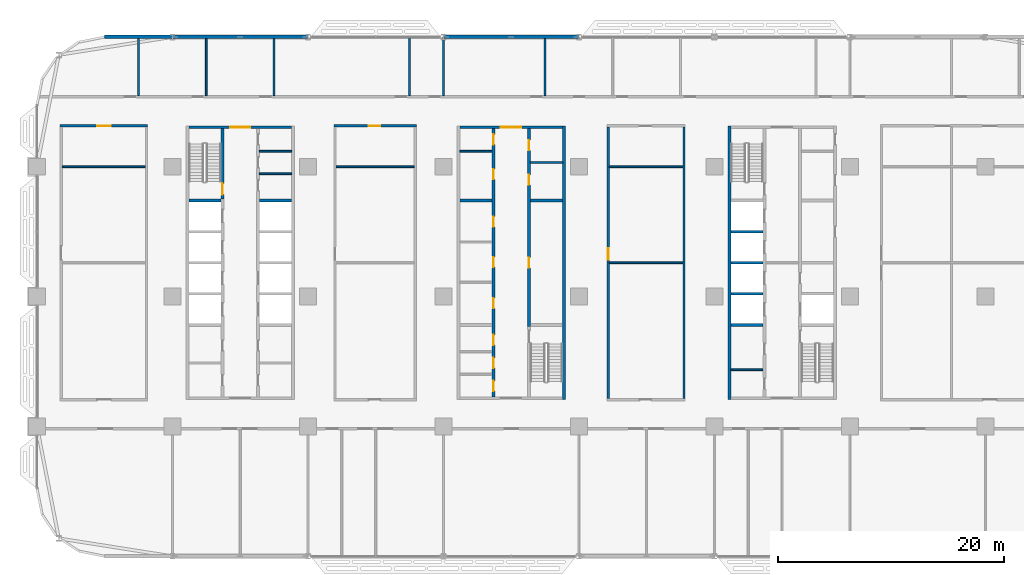
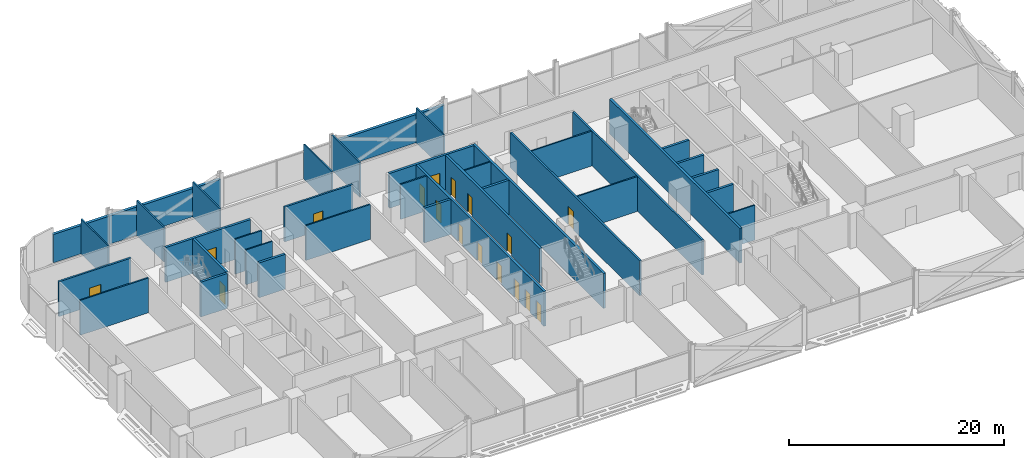
# One storey, part 14 of 30: 37 walls, 17 doors, 17 openings.
"""IFC4 building model written with IfcOpenShell, lengths in metres."""

from ifc_helpers import new_model, si_unit, direction, frame, frame_2d, origin, place, context, subcontext, project, spatial, rectangle, extrude, material, layer, layer_set, type_object, element, fill, save


model = new_model("IFC4")

# Units and contexts
model_context = context("Model", 3, precision=1e-05, world=origin(), true_north=direction((0.0, 1.0)))
body_context = subcontext(model_context, "Body", "Model", "MODEL_VIEW")
ifc_project = project(units=[si_unit("LENGTHUNIT", "METRE"), si_unit("AREAUNIT", "SQUARE_METRE"), si_unit("VOLUMEUNIT", "CUBIC_METRE"), si_unit("PLANEANGLEUNIT", "RADIAN"), si_unit("MASSUNIT", "GRAM", prefix="KILO")], contexts=[model_context])

# Site, building, storey
site_placement = place(None, origin())
site = spatial("IfcSite", under=ifc_project, at=site_placement, CompositionType="ELEMENT")
building_placement = place(site_placement, origin())
building = spatial("IfcBuilding", under=site, at=building_placement, Name="Mahtab Terrace Research Tower", CompositionType="ELEMENT")
storey_placement = place(building_placement, frame((0.0, 0.0, 50.300048828125)))
storey = spatial("IfcBuildingStorey", under=building, at=storey_placement, Name="L11", CompositionType="ELEMENT", Elevation=50.300048828125)

# Walls
ifc_material_1 = material(Name="Gypsum board partition")
ifc_layer_1 = layer(ifc_material_1, 0.14990234375)
ifc_layer_set_1 = layer_set([ifc_layer_1], Name="Core partition 150")
wall_type_1 = type_object("IfcWallType", Name="Core partition 150", PredefinedType="PARTITIONING", material=ifc_layer_set_1)
for number, where, z_axis, x_axis, name in (
    (1, (-22.300048828125, 10.875, 0.0), (0.0, 0.0, 1.0), (1.0, 0.0, 0.0), "Core wall A pEN788"),
    (2, (-22.300048828125, 12.875, 0.0), (0.0, 0.0, 1.0), (1.0, 0.0, 0.0), "Core wall A pEN988"),
    (3, (-4.550048828125, 12.875, 0.0), (0.0, 0.0, 1.0), (1.0, 0.0, 0.0), "Core wall B pWN988"),
    (4, (1.699951171875, 11.875, 0.0), (0.0, 0.0, 1.0), (1.0, 0.0, 0.0), "Core wall B pEN888"),
    (5, (19.449951171875, -6.47509765625, 0.0), (0.0, 0.0, 1.0), (1.0, 0.0, 0.0), "Core wall C pWS-948"),
):
    element("IfcWall", number, at=place(storey_placement, frame(where, z_axis=z_axis, x_axis=x_axis)), inside=storey, type_object=wall_type_1, Name=name, PredefinedType="PARTITIONING", context=body_context, shape_type="SweptSolid", body=[
        extrude(rectangle(XDim=2.85009765625, YDim=0.14990234375, at=frame_2d((1.425048828125, 0.0))), origin(), (0.0, 0.0, 1.0), 3.9599609375),
    ])

# Wall, opening, door
ifc_material_2 = material(Name="Concrete C70/85", Category="concrete")
ifc_layer_2 = layer(ifc_material_2, 0.25)
ifc_layer_set_2 = layer_set([ifc_layer_2], Name="Core wall 250")
wall_type_2 = type_object("IfcWallType", Name="Core wall 250", PredefinedType="SOLIDWALL", material=ifc_layer_set_2)
wall_1_placement = place(storey_placement, frame((-28.550048828125, 15.0, 0.0), z_axis=(0.0, 0.0, 1.0), x_axis=(1.0, 0.0, 0.0)))
wall_1 = element("IfcWall", 6, at=wall_1_placement, inside=storey, type_object=wall_type_2, Name="Core wall A endN", PredefinedType="SOLIDWALL", context=body_context, shape_type="SweptSolid", body=[
    extrude(rectangle(XDim=9.10009765625, YDim=0.25, at=frame_2d((4.550048828125, 0.0))), origin(), (0.0, 0.0, 1.0), 3.9599609375),
])
opening_1_placement = place(wall_1_placement, frame((3.64990234375, 0.0, 0.0)))
opening_1 = element("IfcOpeningElement", 7, at=opening_1_placement, cuts=wall_1, Name="Opening A-N1", PredefinedType="OPENING", context=body_context, shape_type="SweptSolid", body=[
    extrude(rectangle(XDim=1.800048828125, YDim=2.10009765625, at=frame_2d((0.89990234375, 1.050048828125))), frame((0.0, 0.135009765625, 0.0), z_axis=(0.0, -1.0, 0.0), x_axis=(1.0, 0.0, 0.0)), (0.0, 0.0, 1.0), 0.27001953125),
])
ifc_material_3 = material(Name="Steel fire door", Category="steel")
door_type_1 = type_object("IfcDoorType", Name="Lobby double door 1800x2100 1 HR", OperationType="DOUBLE_DOOR_SINGLE_SWING", PredefinedType="DOOR", material=ifc_material_3)
door_1_placement = place(opening_1_placement, origin())
door_1 = element("IfcDoor", 8, at=door_1_placement, inside=storey, type_object=door_type_1, Name="Core entrance door A N", OperationType="DOUBLE_DOOR_SINGLE_SWING", OverallHeight=2.10009765625, OverallWidth=1.800048828125, PredefinedType="DOOR", context=body_context, shape_type="SweptSolid", body=[
    extrude(rectangle(XDim=1.800048828125, YDim=2.10009765625, at=frame_2d((0.89990234375, 1.050048828125))), frame((0.0, 0.02490234375, 0.0), z_axis=(0.0, -1.0, 0.0), x_axis=(1.0, 0.0, 0.0)), (0.0, 0.0, 1.0), 0.050048828125),
])
fill(opening_1, door_1)

wall_2_placement = place(storey_placement, frame((-25.574951171875, 14.875, 0.0), z_axis=(0.0, 0.0, 1.0), x_axis=(0.0, -1.0, 0.0)))
wall_2 = element("IfcWall", 9, at=wall_2_placement, inside=storey, type_object=wall_type_2, Name="Core wall A innerWN", PredefinedType="SOLIDWALL", context=body_context, shape_type="SweptSolid", body=[
    extrude(rectangle(XDim=6.25, YDim=0.25, at=frame_2d((3.125, 0.0))), origin(), (0.0, 0.0, 1.0), 3.9599609375),
])
opening_2_placement = place(wall_2_placement, frame((4.85009765625, 0.0, 0.0)))
opening_2 = element("IfcOpeningElement", 10, at=opening_2_placement, cuts=wall_2, Name="Opening A-ST1", PredefinedType="OPENING", context=body_context, shape_type="SweptSolid", body=[
    extrude(rectangle(XDim=1.0, YDim=2.10009765625, at=frame_2d((0.5, 1.050048828125))), frame((0.0, 0.135009765625, 0.0), z_axis=(0.0, -1.0, 0.0), x_axis=(1.0, 0.0, 0.0)), (0.0, 0.0, 1.0), 0.27001953125),
])
door_type_2 = type_object("IfcDoorType", Name="Stair door 1000x2100 1.5 HR", OperationType="NOTDEFINED", PredefinedType="DOOR", material=ifc_material_3)
door_2_placement = place(opening_2_placement, origin())
door_2 = element("IfcDoor", 11, at=door_2_placement, inside=storey, type_object=door_type_2, Name="Stair door ST1 L11", OperationType="SINGLE_SWING_RIGHT", OverallHeight=2.10009765625, OverallWidth=1.0, PredefinedType="DOOR", context=body_context, shape_type="SweptSolid", body=[
    extrude(rectangle(XDim=1.0, YDim=2.10009765625, at=frame_2d((0.5, 1.050048828125))), frame((0.0, 0.02490234375, 0.0), z_axis=(0.0, -1.0, 0.0), x_axis=(1.0, 0.0, 0.0)), (0.0, 0.0, 1.0), 0.050048828125),
])
fill(opening_2, door_2)

# Walls
for number, where, z_axis, x_axis, name in (
    (12, (-28.550048828125, 8.5, 0.0), (0.0, 0.0, 1.0), (1.0, 0.0, 0.0), "Core wall A divW4"),
    (13, (-22.300048828125, 8.5, 0.0), (0.0, 0.0, 1.0), (1.0, 0.0, 0.0), "Core wall A divE4"),
):
    element("IfcWall", number, at=place(storey_placement, frame(where, z_axis=z_axis, x_axis=x_axis)), inside=storey, type_object=wall_type_2, Name=name, PredefinedType="SOLIDWALL", context=body_context, shape_type="SweptSolid", body=[
        extrude(rectangle(XDim=2.85009765625, YDim=0.25, at=frame_2d((1.425048828125, 0.0))), origin(), (0.0, 0.0, 1.0), 3.9599609375),
    ])
wall_3_placement = place(storey_placement, frame((4.675048828125, -9.125, 0.0), z_axis=(0.0, 0.0, 1.0), x_axis=(0.0, 1.0, 0.0)))
element("IfcWall", 14, at=wall_3_placement, inside=storey, type_object=wall_type_2, Name="Core wall B outerE", PredefinedType="SOLIDWALL", context=body_context, shape_type="SweptSolid", body=[
    extrude(rectangle(XDim=24.25, YDim=0.25, at=frame_2d((12.125, 0.0))), origin(), (0.0, 0.0, 1.0), 3.9599609375),
])

# Wall, opening, door
wall_4_placement = place(storey_placement, frame((-4.550048828125, 15.0, 0.0), z_axis=(0.0, 0.0, 1.0), x_axis=(1.0, 0.0, 0.0)))
wall_4 = element("IfcWall", 15, at=wall_4_placement, inside=storey, type_object=wall_type_2, Name="Core wall B endN", PredefinedType="SOLIDWALL", context=body_context, shape_type="SweptSolid", body=[
    extrude(rectangle(XDim=9.10009765625, YDim=0.25, at=frame_2d((4.550048828125, 0.0))), origin(), (0.0, 0.0, 1.0), 3.9599609375),
])
opening_3_placement = place(wall_4_placement, frame((3.64990234375, 0.0, 0.0)))
opening_3 = element("IfcOpeningElement", 16, at=opening_3_placement, cuts=wall_4, Name="Opening B-N1", PredefinedType="OPENING", context=body_context, shape_type="SweptSolid", body=[
    extrude(rectangle(XDim=1.800048828125, YDim=2.10009765625, at=frame_2d((0.89990234375, 1.050048828125))), frame((0.0, 0.135009765625, 0.0), z_axis=(0.0, -1.0, 0.0), x_axis=(1.0, 0.0, 0.0)), (0.0, 0.0, 1.0), 0.27001953125),
])
door_3_placement = place(opening_3_placement, origin())
door_3 = element("IfcDoor", 17, at=door_3_placement, inside=storey, type_object=door_type_1, Name="Core entrance door B N", OperationType="DOUBLE_DOOR_SINGLE_SWING", OverallHeight=2.10009765625, OverallWidth=1.800048828125, PredefinedType="DOOR", context=body_context, shape_type="SweptSolid", body=[
    extrude(rectangle(XDim=1.800048828125, YDim=2.10009765625, at=frame_2d((0.89990234375, 1.050048828125))), frame((0.0, 0.02490234375, 0.0), z_axis=(0.0, -1.0, 0.0), x_axis=(1.0, 0.0, 0.0)), (0.0, 0.0, 1.0), 0.050048828125),
])
fill(opening_3, door_3)

# Wall, openings, doors
wall_5_placement = place(storey_placement, frame((-1.574951171875, -8.875, 0.0), z_axis=(0.0, 0.0, 1.0), x_axis=(0.0, 1.0, 0.0)))
wall_5 = element("IfcWall", 18, at=wall_5_placement, inside=storey, type_object=wall_type_2, Name="Core wall B innerWSLN", PredefinedType="SOLIDWALL", context=body_context, shape_type="SweptSolid", body=[
    extrude(rectangle(XDim=23.75, YDim=0.25, at=frame_2d((11.875, 0.0))), origin(), (0.0, 0.0, 1.0), 3.9599609375),
])
opening_4_placement = place(wall_5_placement, frame((7.840087890625, 0.0, 0.0)))
opening_4 = element("IfcOpeningElement", 19, at=opening_4_placement, cuts=wall_5, Name="Opening B-R1", PredefinedType="OPENING", context=body_context, shape_type="SweptSolid", body=[
    extrude(rectangle(XDim=0.89990234375, YDim=2.10009765625, at=frame_2d((0.449951171875, 1.050048828125))), frame((0.0, 0.135009765625, 0.0), z_axis=(0.0, -1.0, 0.0), x_axis=(1.0, 0.0, 0.0)), (0.0, 0.0, 1.0), 0.27001953125),
])
opening_5_placement = place(wall_5_placement, frame((11.478759765625, 0.0, 0.0)))
opening_5 = element("IfcOpeningElement", 20, at=opening_5_placement, cuts=wall_5, Name="Opening B-R2", PredefinedType="OPENING", context=body_context, shape_type="SweptSolid", body=[
    extrude(rectangle(XDim=0.89990234375, YDim=2.10009765625, at=frame_2d((0.449951171875, 1.050048828125))), frame((0.0, 0.135009765625, 0.0), z_axis=(0.0, -1.0, 0.0), x_axis=(1.0, 0.0, 0.0)), (0.0, 0.0, 1.0), 0.27001953125),
])
opening_6_placement = place(wall_5_placement, frame((15.063720703125, 0.0, 0.0)))
opening_6 = element("IfcOpeningElement", 21, at=opening_6_placement, cuts=wall_5, Name="Opening B-R3", PredefinedType="OPENING", context=body_context, shape_type="SweptSolid", body=[
    extrude(rectangle(XDim=0.89990234375, YDim=2.10009765625, at=frame_2d((0.449951171875, 1.050048828125))), frame((0.0, 0.135009765625, 0.0), z_axis=(0.0, -1.0, 0.0), x_axis=(1.0, 0.0, 0.0)), (0.0, 0.0, 1.0), 0.27001953125),
])
opening_7_placement = place(wall_5_placement, frame((0.512451171875, 0.0, 0.0)))
opening_7 = element("IfcOpeningElement", 22, at=opening_7_placement, cuts=wall_5, Name="Opening B-R5", PredefinedType="OPENING", context=body_context, shape_type="SweptSolid", body=[
    extrude(rectangle(XDim=0.89990234375, YDim=2.10009765625, at=frame_2d((0.449951171875, 1.050048828125))), frame((0.0, 0.135009765625, 0.0), z_axis=(0.0, -1.0, 0.0), x_axis=(1.0, 0.0, 0.0)), (0.0, 0.0, 1.0), 0.27001953125),
])
opening_8_placement = place(wall_5_placement, frame((2.550048828125, 0.0, 0.0)))
opening_8 = element("IfcOpeningElement", 23, at=opening_8_placement, cuts=wall_5, Name="Opening B-R6", PredefinedType="OPENING", context=body_context, shape_type="SweptSolid", body=[
    extrude(rectangle(XDim=0.89990234375, YDim=2.10009765625, at=frame_2d((0.449951171875, 1.050048828125))), frame((0.0, 0.135009765625, 0.0), z_axis=(0.0, -1.0, 0.0), x_axis=(1.0, 0.0, 0.0)), (0.0, 0.0, 1.0), 0.27001953125),
])
opening_9_placement = place(wall_5_placement, frame((4.58740234375, 0.0, 0.0)))
opening_9 = element("IfcOpeningElement", 24, at=opening_9_placement, cuts=wall_5, Name="Opening B-R7", PredefinedType="OPENING", context=body_context, shape_type="SweptSolid", body=[
    extrude(rectangle(XDim=0.89990234375, YDim=2.10009765625, at=frame_2d((0.449951171875, 1.050048828125))), frame((0.0, 0.135009765625, 0.0), z_axis=(0.0, -1.0, 0.0), x_axis=(1.0, 0.0, 0.0)), (0.0, 0.0, 1.0), 0.27001953125),
])
opening_10_placement = place(wall_5_placement, frame((19.262451171875, 0.0, 0.0)))
opening_10 = element("IfcOpeningElement", 25, at=opening_10_placement, cuts=wall_5, Name="Opening B-R8", PredefinedType="OPENING", context=body_context, shape_type="SweptSolid", body=[
    extrude(rectangle(XDim=0.89990234375, YDim=2.10009765625, at=frame_2d((0.449951171875, 1.050048828125))), frame((0.0, 0.135009765625, 0.0), z_axis=(0.0, -1.0, 0.0), x_axis=(1.0, 0.0, 0.0)), (0.0, 0.0, 1.0), 0.27001953125),
])
opening_11_placement = place(wall_5_placement, frame((22.33740234375, 0.0, 0.0)))
opening_11 = element("IfcOpeningElement", 26, at=opening_11_placement, cuts=wall_5, Name="Opening B-R9", PredefinedType="OPENING", context=body_context, shape_type="SweptSolid", body=[
    extrude(rectangle(XDim=0.89990234375, YDim=2.10009765625, at=frame_2d((0.449951171875, 1.050048828125))), frame((0.0, 0.135009765625, 0.0), z_axis=(0.0, -1.0, 0.0), x_axis=(1.0, 0.0, 0.0)), (0.0, 0.0, 1.0), 0.27001953125),
])
door_type_3 = type_object("IfcDoorType", Name="Room door 900x2100 1 HR", OperationType="NOTDEFINED", PredefinedType="DOOR", material=ifc_material_3)
door_4_placement = place(opening_4_placement, origin())
door_4 = element("IfcDoor", 27, at=door_4_placement, inside=storey, type_object=door_type_3, Name="Battery room door", OperationType="SINGLE_SWING_LEFT", OverallHeight=2.10009765625, OverallWidth=0.89990234375, PredefinedType="DOOR", context=body_context, shape_type="SweptSolid", body=[
    extrude(rectangle(XDim=0.89990234375, YDim=2.10009765625, at=frame_2d((0.449951171875, 1.050048828125))), frame((0.0, 0.02490234375, 0.0), z_axis=(0.0, -1.0, 0.0), x_axis=(1.0, 0.0, 0.0)), (0.0, 0.0, 1.0), 0.050048828125),
])
fill(opening_4, door_4)
door_5_placement = place(opening_5_placement, origin())
door_5 = element("IfcDoor", 28, at=door_5_placement, inside=storey, type_object=door_type_3, Name="Cooling plant room door", OperationType="SINGLE_SWING_RIGHT", OverallHeight=2.10009765625, OverallWidth=0.89990234375, PredefinedType="DOOR", context=body_context, shape_type="SweptSolid", body=[
    extrude(rectangle(XDim=0.89990234375, YDim=2.10009765625, at=frame_2d((0.449951171875, 1.050048828125))), frame((0.0, 0.02490234375, 0.0), z_axis=(0.0, -1.0, 0.0), x_axis=(1.0, 0.0, 0.0)), (0.0, 0.0, 1.0), 0.050048828125),
])
fill(opening_5, door_5)
door_6_placement = place(opening_6_placement, origin())
door_6 = element("IfcDoor", 29, at=door_6_placement, inside=storey, type_object=door_type_3, Name="Spare parts store door", OperationType="SINGLE_SWING_LEFT", OverallHeight=2.10009765625, OverallWidth=0.89990234375, PredefinedType="DOOR", context=body_context, shape_type="SweptSolid", body=[
    extrude(rectangle(XDim=0.89990234375, YDim=2.10009765625, at=frame_2d((0.449951171875, 1.050048828125))), frame((0.0, 0.02490234375, 0.0), z_axis=(0.0, -1.0, 0.0), x_axis=(1.0, 0.0, 0.0)), (0.0, 0.0, 1.0), 0.050048828125),
])
fill(opening_6, door_6)
door_7_placement = place(opening_7_placement, origin())
door_7 = element("IfcDoor", 30, at=door_7_placement, inside=storey, type_object=door_type_3, Name="Comms riser room door", OperationType="SINGLE_SWING_LEFT", OverallHeight=2.10009765625, OverallWidth=0.89990234375, PredefinedType="DOOR", context=body_context, shape_type="SweptSolid", body=[
    extrude(rectangle(XDim=0.89990234375, YDim=2.10009765625, at=frame_2d((0.449951171875, 1.050048828125))), frame((0.0, 0.02490234375, 0.0), z_axis=(0.0, -1.0, 0.0), x_axis=(1.0, 0.0, 0.0)), (0.0, 0.0, 1.0), 0.050048828125),
])
fill(opening_7, door_7)
door_8_placement = place(opening_8_placement, origin())
door_8 = element("IfcDoor", 31, at=door_8_placement, inside=storey, type_object=door_type_3, Name="Pantry door", OperationType="SINGLE_SWING_RIGHT", OverallHeight=2.10009765625, OverallWidth=0.89990234375, PredefinedType="DOOR", context=body_context, shape_type="SweptSolid", body=[
    extrude(rectangle(XDim=0.89990234375, YDim=2.10009765625, at=frame_2d((0.449951171875, 1.050048828125))), frame((0.0, 0.02490234375, 0.0), z_axis=(0.0, -1.0, 0.0), x_axis=(1.0, 0.0, 0.0)), (0.0, 0.0, 1.0), 0.050048828125),
])
fill(opening_8, door_8)
door_9_placement = place(opening_9_placement, origin())
door_9 = element("IfcDoor", 32, at=door_9_placement, inside=storey, type_object=door_type_3, Name="Cleaners store door", OperationType="SINGLE_SWING_LEFT", OverallHeight=2.10009765625, OverallWidth=0.89990234375, PredefinedType="DOOR", context=body_context, shape_type="SweptSolid", body=[
    extrude(rectangle(XDim=0.89990234375, YDim=2.10009765625, at=frame_2d((0.449951171875, 1.050048828125))), frame((0.0, 0.02490234375, 0.0), z_axis=(0.0, -1.0, 0.0), x_axis=(1.0, 0.0, 0.0)), (0.0, 0.0, 1.0), 0.050048828125),
])
fill(opening_9, door_9)
door_10_placement = place(opening_10_placement, origin())
door_10 = element("IfcDoor", 33, at=door_10_placement, inside=storey, type_object=door_type_3, Name="IT equipment room door", OperationType="SINGLE_SWING_RIGHT", OverallHeight=2.10009765625, OverallWidth=0.89990234375, PredefinedType="DOOR", context=body_context, shape_type="SweptSolid", body=[
    extrude(rectangle(XDim=0.89990234375, YDim=2.10009765625, at=frame_2d((0.449951171875, 1.050048828125))), frame((0.0, 0.02490234375, 0.0), z_axis=(0.0, -1.0, 0.0), x_axis=(1.0, 0.0, 0.0)), (0.0, 0.0, 1.0), 0.050048828125),
])
fill(opening_10, door_10)
door_11_placement = place(opening_11_placement, origin())
door_11 = element("IfcDoor", 34, at=door_11_placement, inside=storey, type_object=door_type_3, Name="Electrical riser room door", OperationType="SINGLE_SWING_LEFT", OverallHeight=2.10009765625, OverallWidth=0.89990234375, PredefinedType="DOOR", context=body_context, shape_type="SweptSolid", body=[
    extrude(rectangle(XDim=0.89990234375, YDim=2.10009765625, at=frame_2d((0.449951171875, 1.050048828125))), frame((0.0, 0.02490234375, 0.0), z_axis=(0.0, -1.0, 0.0), x_axis=(1.0, 0.0, 0.0)), (0.0, 0.0, 1.0), 0.050048828125),
])
fill(opening_11, door_11)

wall_6_placement = place(storey_placement, frame((1.574951171875, 14.875, 0.0), z_axis=(0.0, 0.0, 1.0), x_axis=(0.0, -1.0, 0.0)))
wall_6 = element("IfcWall", 35, at=wall_6_placement, inside=storey, type_object=wall_type_2, Name="Core wall B innerELN", PredefinedType="SOLIDWALL", context=body_context, shape_type="SweptSolid", body=[
    extrude(rectangle(XDim=17.5, YDim=0.25, at=frame_2d((8.75, 0.0))), origin(), (0.0, 0.0, 1.0), 3.9599609375),
])
opening_12_placement = place(wall_6_placement, frame((11.425048828125, 0.0, 0.0)))
opening_12 = element("IfcOpeningElement", 36, at=opening_12_placement, cuts=wall_6, Name="Opening B-R4", PredefinedType="OPENING", context=body_context, shape_type="SweptSolid", body=[
    extrude(rectangle(XDim=0.89990234375, YDim=2.10009765625, at=frame_2d((0.449951171875, 1.050048828125))), frame((0.0, 0.135009765625, 0.0), z_axis=(0.0, -1.0, 0.0), x_axis=(1.0, 0.0, 0.0)), (0.0, 0.0, 1.0), 0.27001953125),
])
opening_13_placement = place(wall_6_placement, frame((4.08740234375, 0.0, 0.0)))
opening_13 = element("IfcOpeningElement", 37, at=opening_13_placement, cuts=wall_6, Name="Opening B-R10", PredefinedType="OPENING", context=body_context, shape_type="SweptSolid", body=[
    extrude(rectangle(XDim=0.89990234375, YDim=2.10009765625, at=frame_2d((0.449951171875, 1.050048828125))), frame((0.0, 0.135009765625, 0.0), z_axis=(0.0, -1.0, 0.0), x_axis=(1.0, 0.0, 0.0)), (0.0, 0.0, 1.0), 0.27001953125),
])
opening_14_placement = place(wall_6_placement, frame((1.012451171875, 0.0, 0.0)))
opening_14 = element("IfcOpeningElement", 38, at=opening_14_placement, cuts=wall_6, Name="Opening B-R11", PredefinedType="OPENING", context=body_context, shape_type="SweptSolid", body=[
    extrude(rectangle(XDim=0.89990234375, YDim=2.10009765625, at=frame_2d((0.449951171875, 1.050048828125))), frame((0.0, 0.135009765625, 0.0), z_axis=(0.0, -1.0, 0.0), x_axis=(1.0, 0.0, 0.0)), (0.0, 0.0, 1.0), 0.27001953125),
])
door_12_placement = place(opening_12_placement, origin())
door_12 = element("IfcDoor", 39, at=door_12_placement, inside=storey, type_object=door_type_3, Name="Plant room door", OperationType="SINGLE_SWING_RIGHT", OverallHeight=2.10009765625, OverallWidth=0.89990234375, PredefinedType="DOOR", context=body_context, shape_type="SweptSolid", body=[
    extrude(rectangle(XDim=0.89990234375, YDim=2.10009765625, at=frame_2d((0.449951171875, 1.050048828125))), frame((0.0, 0.02490234375, 0.0), z_axis=(0.0, -1.0, 0.0), x_axis=(1.0, 0.0, 0.0)), (0.0, 0.0, 1.0), 0.050048828125),
])
fill(opening_12, door_12)
door_13_placement = place(opening_13_placement, origin())
door_13 = element("IfcDoor", 40, at=door_13_placement, inside=storey, type_object=door_type_3, Name="Staff WC door", OperationType="SINGLE_SWING_RIGHT", OverallHeight=2.10009765625, OverallWidth=0.89990234375, PredefinedType="DOOR", context=body_context, shape_type="SweptSolid", body=[
    extrude(rectangle(XDim=0.89990234375, YDim=2.10009765625, at=frame_2d((0.449951171875, 1.050048828125))), frame((0.0, 0.02490234375, 0.0), z_axis=(0.0, -1.0, 0.0), x_axis=(1.0, 0.0, 0.0)), (0.0, 0.0, 1.0), 0.050048828125),
])
fill(opening_13, door_13)
door_14_placement = place(opening_14_placement, origin())
door_14 = element("IfcDoor", 41, at=door_14_placement, inside=storey, type_object=door_type_3, Name="Accessible WC door", OperationType="SINGLE_SWING_LEFT", OverallHeight=2.10009765625, OverallWidth=0.89990234375, PredefinedType="DOOR", context=body_context, shape_type="SweptSolid", body=[
    extrude(rectangle(XDim=0.89990234375, YDim=2.10009765625, at=frame_2d((0.449951171875, 1.050048828125))), frame((0.0, 0.02490234375, 0.0), z_axis=(0.0, -1.0, 0.0), x_axis=(1.0, 0.0, 0.0)), (0.0, 0.0, 1.0), 0.050048828125),
])
fill(opening_14, door_14)

# Walls
for number, where, z_axis, x_axis, name in (
    (42, (-4.550048828125, 8.5, 0.0), (0.0, 0.0, 1.0), (1.0, 0.0, 0.0), "Core wall B divW4"),
    (43, (1.699951171875, 8.5, 0.0), (0.0, 0.0, 1.0), (1.0, 0.0, 0.0), "Core wall B divE4"),
):
    element("IfcWall", number, at=place(storey_placement, frame(where, z_axis=z_axis, x_axis=x_axis)), inside=storey, type_object=wall_type_2, Name=name, PredefinedType="SOLIDWALL", context=body_context, shape_type="SweptSolid", body=[
        extrude(rectangle(XDim=2.85009765625, YDim=0.25, at=frame_2d((1.425048828125, 0.0))), origin(), (0.0, 0.0, 1.0), 3.9599609375),
    ])
wall_7_placement = place(storey_placement, frame((19.324951171875, 15.125, 0.0), z_axis=(0.0, 0.0, 1.0), x_axis=(0.0, -1.0, 0.0)))
element("IfcWall", 44, at=wall_7_placement, inside=storey, type_object=wall_type_2, Name="Core wall C outerW", PredefinedType="SOLIDWALL", context=body_context, shape_type="SweptSolid", body=[
    extrude(rectangle(XDim=24.25, YDim=0.25, at=frame_2d((12.125, 0.0))), origin(), (0.0, 0.0, 1.0), 3.9599609375),
])
for number, where, z_axis, x_axis, name in (
    (45, (19.449951171875, -2.5, 0.0), (0.0, 0.0, 1.0), (1.0, 0.0, 0.0), "Core wall C divW0"),
    (46, (19.449951171875, 0.25, 0.0), (0.0, 0.0, 1.0), (1.0, 0.0, 0.0), "Core wall C divW1"),
    (47, (19.449951171875, 3.0, 0.0), (0.0, 0.0, 1.0), (1.0, 0.0, 0.0), "Core wall C divW2"),
    (48, (19.449951171875, 5.75, 0.0), (0.0, 0.0, 1.0), (1.0, 0.0, 0.0), "Core wall C divW3"),
):
    element("IfcWall", number, at=place(storey_placement, frame(where, z_axis=z_axis, x_axis=x_axis)), inside=storey, type_object=wall_type_2, Name=name, PredefinedType="SOLIDWALL", context=body_context, shape_type="SweptSolid", body=[
        extrude(rectangle(XDim=2.85009765625, YDim=0.25, at=frame_2d((1.425048828125, 0.0))), origin(), (0.0, 0.0, 1.0), 3.9599609375),
    ])
ifc_material_4 = material(Name="Black aluminium cladding panel", Category="aluminium")
ifc_layer_3 = layer(ifc_material_4, 0.300048828125)
ifc_layer_set_3 = layer_set([ifc_layer_3], Name="Opaque facade wall 300")
wall_type_3 = type_object("IfcWallType", Name="Opaque facade wall 300", PredefinedType="NOTDEFINED", material=ifc_layer_set_3)
for number, where, z_axis, x_axis, name in (
    (49, (5.97607421875, 23.0, 0.0), (0.0, 0.0, 1.0), (-1.0, 0.0, 0.0), "Opaque facade wall L11 N7"),
    (50, (-18.02392578125, 23.0, 0.0), (0.0, 0.0, 1.0), (-1.0, 0.0, 0.0), "Opaque facade wall L11 N9"),
):
    element("IfcWall", number, at=place(storey_placement, frame(where, z_axis=z_axis, x_axis=x_axis)), inside=storey, type_object=wall_type_3, Name=name, PredefinedType="NOTDEFINED", context=body_context, shape_type="SweptSolid", body=[
        extrude(rectangle(XDim=11.9521484375, YDim=0.300048828125, at=frame_2d((5.97607421875, 0.0))), origin(), (0.0, 0.0, 1.0), 3.203125),
    ])
wall_8_placement = place(storey_placement, frame((-30.02392578125, 23.0, 0.0), z_axis=(0.0, 0.0, 1.0), x_axis=(-1.0, 0.0, 0.0)))
element("IfcWall", 51, at=wall_8_placement, inside=storey, type_object=wall_type_3, Name="Opaque facade wall L11 N10", PredefinedType="NOTDEFINED", context=body_context, shape_type="SweptSolid", body=[
    extrude(rectangle(XDim=5.97607421875, YDim=0.300048828125, at=frame_2d((2.988037109375, 0.0))), origin(), (0.0, 0.0, 1.0), 3.203125),
])

# Wall, opening, door
ifc_material_5 = material(Name="Gypsum board corridor wall on steel studs", Category="steel")
ifc_layer_4 = layer(ifc_material_5, 0.199951171875)
ifc_layer_set_4 = layer_set([ifc_layer_4], Name="WALL CORRIDOR 200")
wall_type_4 = type_object("IfcWallType", Name="WALL CORRIDOR 200", PredefinedType="PARTITIONING", material=ifc_layer_set_4)
wall_9_placement = place(storey_placement, frame((-39.949951171875, 15.125, 0.0), z_axis=(0.0, 0.0, 1.0), x_axis=(1.0, 0.0, 0.0)))
wall_9 = element("IfcWall", 52, at=wall_9_placement, inside=storey, type_object=wall_type_4, Name="L11-W022", PredefinedType="PARTITIONING", context=body_context, shape_type="SweptSolid", body=[
    extrude(rectangle(XDim=7.75, YDim=0.199951171875, at=frame_2d((3.875, 0.0))), origin(), (0.0, 0.0, 1.0), 3.9599609375),
])
opening_15_placement = place(wall_9_placement, frame((3.300048828125, 0.0, 0.0)))
opening_15 = element("IfcOpeningElement", 53, at=opening_15_placement, cuts=wall_9, Name="Opening L11-126", PredefinedType="OPENING", context=body_context, shape_type="SweptSolid", body=[
    extrude(rectangle(XDim=1.199951171875, YDim=2.10009765625, at=frame_2d((0.60009765625, 1.050048828125))), frame((0.0, 0.10986328125, 0.0), z_axis=(0.0, -1.0, 0.0), x_axis=(1.0, 0.0, 0.0)), (0.0, 0.0, 1.0), 0.219970703125),
])
ifc_material_6 = material(Name="Timber door leaf in steel frame", Category="steel")
door_type_4 = type_object("IfcDoorType", Name="DOOR 1200X2100 FD30S", OperationType="SINGLE_SWING_LEFT", PredefinedType="DOOR", material=ifc_material_6)
door_15_placement = place(opening_15_placement, origin())
door_15 = element("IfcDoor", 54, at=door_15_placement, inside=storey, type_object=door_type_4, Name="Door L11-126", OperationType="SINGLE_SWING_LEFT", OverallHeight=2.10009765625, OverallWidth=1.199951171875, PredefinedType="DOOR", context=body_context, shape_type="SweptSolid", body=[
    extrude(rectangle(XDim=1.199951171875, YDim=2.10009765625, at=frame_2d((0.60009765625, 1.050048828125))), frame((0.0, 0.02490234375, 0.0), z_axis=(0.0, -1.0, 0.0), x_axis=(1.0, 0.0, 0.0)), (0.0, 0.0, 1.0), 0.050048828125),
])
fill(opening_15, door_15)

wall_10_placement = place(storey_placement, frame((-15.699951171875, 15.125, 0.0), z_axis=(0.0, 0.0, 1.0), x_axis=(1.0, 0.0, 0.0)))
wall_10 = element("IfcWall", 55, at=wall_10_placement, inside=storey, type_object=wall_type_4, Name="L11-W023", PredefinedType="PARTITIONING", context=body_context, shape_type="SweptSolid", body=[
    extrude(rectangle(XDim=7.300048828125, YDim=0.199951171875, at=frame_2d((3.64990234375, 0.0))), origin(), (0.0, 0.0, 1.0), 3.9599609375),
])
opening_16_placement = place(wall_10_placement, frame((3.10009765625, 0.0, 0.0)))
opening_16 = element("IfcOpeningElement", 56, at=opening_16_placement, cuts=wall_10, Name="Opening L11-127", PredefinedType="OPENING", context=body_context, shape_type="SweptSolid", body=[
    extrude(rectangle(XDim=1.0, YDim=2.10009765625, at=frame_2d((0.5, 1.050048828125))), frame((0.0, 0.10986328125, 0.0), z_axis=(0.0, -1.0, 0.0), x_axis=(1.0, 0.0, 0.0)), (0.0, 0.0, 1.0), 0.219970703125),
])
door_type_5 = type_object("IfcDoorType", Name="DOOR 1000X2100 FD30S", OperationType="SINGLE_SWING_LEFT", PredefinedType="DOOR", material=ifc_material_6)
door_16_placement = place(opening_16_placement, origin())
door_16 = element("IfcDoor", 57, at=door_16_placement, inside=storey, type_object=door_type_5, Name="Door L11-127", OperationType="SINGLE_SWING_RIGHT", OverallHeight=2.10009765625, OverallWidth=1.0, PredefinedType="DOOR", context=body_context, shape_type="SweptSolid", body=[
    extrude(rectangle(XDim=1.0, YDim=2.10009765625, at=frame_2d((0.5, 1.050048828125))), frame((0.0, 0.02490234375, 0.0), z_axis=(0.0, -1.0, 0.0), x_axis=(1.0, 0.0, 0.0)), (0.0, 0.0, 1.0), 0.050048828125),
])
fill(opening_16, door_16)

wall_11_placement = place(storey_placement, frame((8.60009765625, -9.02490234375, 0.0), z_axis=(0.0, 0.0, 1.0), x_axis=(0.0, 1.0, 0.0)))
wall_11 = element("IfcWall", 58, at=wall_11_placement, inside=storey, type_object=wall_type_4, Name="L11-W044", PredefinedType="PARTITIONING", context=body_context, shape_type="SweptSolid", body=[
    extrude(rectangle(XDim=24.0498046875, YDim=0.199951171875, at=frame_2d((12.02490234375, 0.0))), origin(), (0.0, 0.0, 1.0), 3.9599609375),
])
opening_17_placement = place(wall_11_placement, frame((12.300048828125, 0.0, 0.0)))
opening_17 = element("IfcOpeningElement", 59, at=opening_17_placement, cuts=wall_11, Name="Opening L11-123", PredefinedType="OPENING", context=body_context, shape_type="SweptSolid", body=[
    extrude(rectangle(XDim=1.0, YDim=2.10009765625, at=frame_2d((0.5, 1.050048828125))), frame((0.0, 0.10986328125, 0.0), z_axis=(0.0, -1.0, 0.0), x_axis=(1.0, 0.0, 0.0)), (0.0, 0.0, 1.0), 0.219970703125),
])
door_17_placement = place(opening_17_placement, origin())
door_17 = element("IfcDoor", 60, at=door_17_placement, inside=storey, type_object=door_type_5, Name="Door L11-123", OperationType="SINGLE_SWING_LEFT", OverallHeight=2.10009765625, OverallWidth=1.0, PredefinedType="DOOR", context=body_context, shape_type="SweptSolid", body=[
    extrude(rectangle(XDim=1.0, YDim=2.10009765625, at=frame_2d((0.5, 1.050048828125))), frame((0.0, 0.02490234375, 0.0), z_axis=(0.0, -1.0, 0.0), x_axis=(1.0, 0.0, 0.0)), (0.0, 0.0, 1.0), 0.050048828125),
])
fill(opening_17, door_17)

# Walls
wall_12_placement = place(storey_placement, frame((15.300048828125, -9.02490234375, 0.0), z_axis=(0.0, 0.0, 1.0), x_axis=(0.0, 1.0, 0.0)))
element("IfcWall", 61, at=wall_12_placement, inside=storey, type_object=wall_type_4, Name="L11-W048", PredefinedType="PARTITIONING", context=body_context, shape_type="SweptSolid", body=[
    extrude(rectangle(XDim=24.0498046875, YDim=0.199951171875, at=frame_2d((12.02490234375, 0.0))), origin(), (0.0, 0.0, 1.0), 3.9599609375),
])
ifc_material_7 = material(Name="Gypsum board partition on steel studs", Category="steel")
ifc_layer_5 = layer(ifc_material_7, 0.14990234375)
ifc_layer_set_5 = layer_set([ifc_layer_5], Name="WALL PARTITION 150")
wall_type_5 = type_object("IfcWallType", Name="WALL PARTITION 150", PredefinedType="PARTITIONING", material=ifc_layer_set_5)
wall_13_placement = place(storey_placement, frame((8.699951171875, 3.0, 0.0), z_axis=(0.0, 0.0, 1.0), x_axis=(1.0, 0.0, 0.0)))
element("IfcWall", 62, at=wall_13_placement, inside=storey, type_object=wall_type_5, Name="L11-W015", PredefinedType="PARTITIONING", context=body_context, shape_type="SweptSolid", body=[
    extrude(rectangle(XDim=6.5, YDim=0.14990234375, at=frame_2d((3.25, 0.0))), origin(), (0.0, 0.0, 1.0), 3.9599609375),
])
wall_14_placement = place(storey_placement, frame((-39.75, 11.5, 0.0), z_axis=(0.0, 0.0, 1.0), x_axis=(1.0, 0.0, 0.0)))
element("IfcWall", 63, at=wall_14_placement, inside=storey, type_object=wall_type_5, Name="L11-W017", PredefinedType="PARTITIONING", context=body_context, shape_type="SweptSolid", body=[
    extrude(rectangle(XDim=7.35009765625, YDim=0.14990234375, at=frame_2d((3.675048828125, 0.0))), origin(), (0.0, 0.0, 1.0), 3.9599609375),
])
wall_15_placement = place(storey_placement, frame((-15.5, 11.5, 0.0), z_axis=(0.0, 0.0, 1.0), x_axis=(1.0, 0.0, 0.0)))
element("IfcWall", 64, at=wall_15_placement, inside=storey, type_object=wall_type_5, Name="L11-W018", PredefinedType="PARTITIONING", context=body_context, shape_type="SweptSolid", body=[
    extrude(rectangle(XDim=6.89990234375, YDim=0.14990234375, at=frame_2d((3.449951171875, 0.0))), origin(), (0.0, 0.0, 1.0), 3.9599609375),
])
wall_16_placement = place(storey_placement, frame((8.699951171875, 11.5, 0.0), z_axis=(0.0, 0.0, 1.0), x_axis=(1.0, 0.0, 0.0)))
element("IfcWall", 65, at=wall_16_placement, inside=storey, type_object=wall_type_5, Name="L11-W019", PredefinedType="PARTITIONING", context=body_context, shape_type="SweptSolid", body=[
    extrude(rectangle(XDim=6.5, YDim=0.14990234375, at=frame_2d((3.25, 0.0))), origin(), (0.0, 0.0, 1.0), 3.9599609375),
])
for number, where, z_axis, x_axis, name in (
    (66, (-33.0, 17.800048828125, 0.0), (0.0, 0.0, 1.0), (0.0, 1.0, 0.0), "L11-W028"),
    (67, (-27.0, 17.800048828125, 0.0), (0.0, 0.0, 1.0), (0.0, 1.0, 0.0), "L11-W031"),
    (68, (-21.0, 17.800048828125, 0.0), (0.0, 0.0, 1.0), (0.0, 1.0, 0.0), "L11-W033"),
):
    element("IfcWall", number, at=place(storey_placement, frame(where, z_axis=z_axis, x_axis=x_axis)), inside=storey, type_object=wall_type_5, Name=name, PredefinedType="PARTITIONING", context=body_context, shape_type="SweptSolid", body=[
        extrude(rectangle(XDim=5.050048828125, YDim=0.14990234375, at=frame_2d((2.52490234375, 0.0))), origin(), (0.0, 0.0, 1.0), 3.9599609375),
    ])
for number, where, z_axis, x_axis, name in (
    (69, (-9.0, 17.800048828125, 0.0), (0.0, 0.0, 1.0), (0.0, 1.0, 0.0), "L11-W038"),
    (70, (-6.0, 17.800048828125, 0.0), (0.0, 0.0, 1.0), (0.0, 1.0, 0.0), "L11-W041"),
):
    element("IfcWall", number, at=place(storey_placement, frame(where, z_axis=z_axis, x_axis=x_axis)), inside=storey, type_object=wall_type_5, Name=name, PredefinedType="PARTITIONING", context=body_context, shape_type="SweptSolid", body=[
        extrude(rectangle(XDim=5.175048828125, YDim=0.14990234375, at=frame_2d((2.58740234375, 0.0))), origin(), (0.0, 0.0, 1.0), 3.9599609375),
    ])
wall_17_placement = place(storey_placement, frame((3.0, 17.800048828125, 0.0), z_axis=(0.0, 0.0, 1.0), x_axis=(0.0, 1.0, 0.0)))
element("IfcWall", 71, at=wall_17_placement, inside=storey, type_object=wall_type_5, Name="L11-W042", PredefinedType="PARTITIONING", context=body_context, shape_type="SweptSolid", body=[
    extrude(rectangle(XDim=5.050048828125, YDim=0.14990234375, at=frame_2d((2.52490234375, 0.0))), origin(), (0.0, 0.0, 1.0), 3.9599609375),
])

save(model, "model.ifc")
